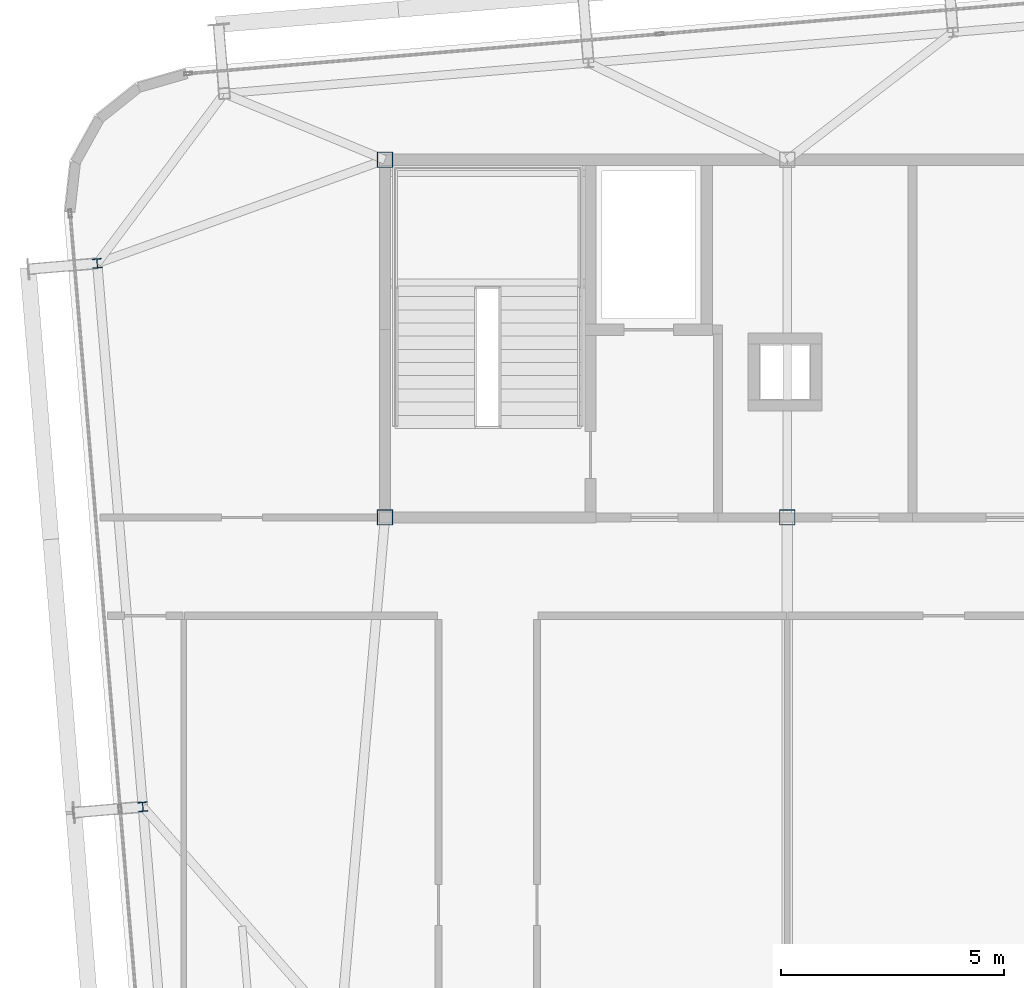
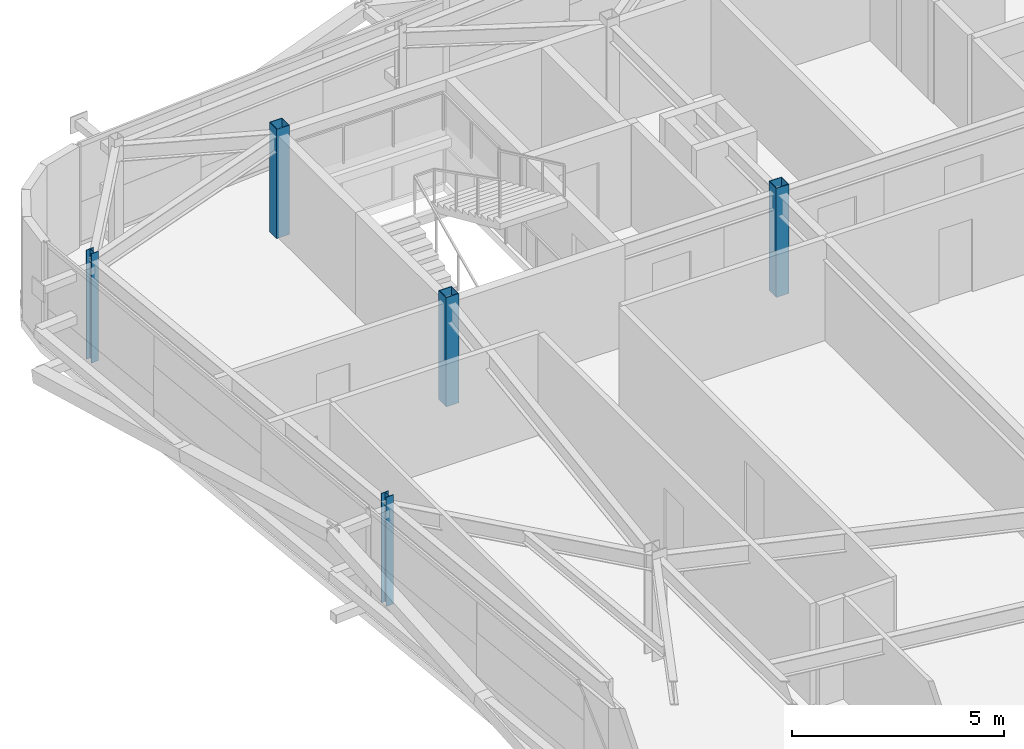
# One storey, part 2 of 37: 5 columns.
"""IFC4 building model written with IfcOpenShell, lengths in metres."""

from ifc_helpers import new_model, si_unit, direction, frame, origin, origin_2d, place, context, subcontext, project, spatial, hollow_rectangle, i_section, extrude, source, transform, mapped, material, material_profile, profile_set, type_object, element, save


model = new_model("IFC4")

# Units and contexts
model_context = context("Model", 3, precision=1e-05, world=origin(), true_north=direction((0.0, 1.0)))
body_context = subcontext(model_context, "Body", "Model", "MODEL_VIEW")
ifc_project = project(units=[si_unit("LENGTHUNIT", "METRE"), si_unit("AREAUNIT", "SQUARE_METRE"), si_unit("VOLUMEUNIT", "CUBIC_METRE"), si_unit("PLANEANGLEUNIT", "RADIAN"), si_unit("MASSUNIT", "GRAM", prefix="KILO")], contexts=[model_context])

# Site, building, storey
site_placement = place(None, origin())
site = spatial("IfcSite", under=ifc_project, at=site_placement, CompositionType="ELEMENT")
building_placement = place(site_placement, origin())
building = spatial("IfcBuilding", under=site, at=building_placement, Name="Taldren Reach Tower", CompositionType="ELEMENT")
storey_placement = place(building_placement, frame((0.0, 0.0, 172.550048828125)))
storey = spatial("IfcBuildingStorey", under=building, at=storey_placement, Name="L52", CompositionType="ELEMENT", Elevation=172.550048828125)

# Columns
ifc_material_1 = material(Name="Steel Gr 450 (C450L0)", Category="steel")
ifc_material_profile_1 = material_profile(ifc_material_1, hollow_rectangle(XDim=0.35009765625, YDim=0.35009765625, WallThickness=0.01611328125, at=origin_2d()), Name="350x350x16.0SHS")
ifc_profile_set_1 = profile_set([ifc_material_profile_1], Name="Steel Gr 450 (C450L0)")
column_type_1 = type_object("IfcColumnType", Name="COL-SHS350", PredefinedType="COLUMN", material=ifc_profile_set_1)
shared_shape_1 = source(origin(), body_context, "Body", "SweptSolid", [
    extrude(hollow_rectangle(XDim=0.35009765625, YDim=0.35009765625, WallThickness=0.01611328125, at=origin_2d()), origin(), (0.0, 0.0, 1.0), 3.14990234375),
])
for number, where, z_axis, x_axis, name in (
    (1, (19.0, 24.0, 0.0), (0.0, 0.0, 1.0), (1.0, 0.0, 0.0), "Mega column MC-C1 L52"),
    (2, (28.0, 24.0, 0.0), (0.0, 0.0, 1.0), (1.0, 0.0, 0.0), "Mega column MC-C2 L52"),
    (3, (19.0, 32.0, 0.0), (0.0, 0.0, 1.0), (1.0, 0.0, 0.0), "Mega column MC-C5 L52"),
):
    element("IfcColumn", number, at=place(storey_placement, frame(where, z_axis=z_axis, x_axis=x_axis)), inside=storey, type_object=column_type_1, Name=name, PredefinedType="COLUMN", context=body_context, shape_type="MappedRepresentation", body=[
        mapped(shared_shape_1, transform((0.0, 0.0, 0.0), scale=1.0)),
    ])
ifc_material_2 = material(Name="Steel Gr 350 (350PLUS)", Category="steel")
ifc_material_profile_2 = material_profile(ifc_material_2, i_section(OverallWidth=0.205078125, OverallDepth=0.2099609375, WebThickness=0.00927734375, FlangeThickness=0.01416015625, at=origin_2d()), Name="200UC59.5")
ifc_profile_set_2 = profile_set([ifc_material_profile_2], Name="Steel Gr 350 (350PLUS)")
column_type_2 = type_object("IfcColumnType", Name="COL-UC200", PredefinedType="COLUMN", material=ifc_profile_set_2)
shared_shape_2 = source(origin(), body_context, "Body", "SweptSolid", [
    extrude(i_section(OverallWidth=0.205078125, OverallDepth=0.2099609375, WebThickness=0.00927734375, FlangeThickness=0.01416015625, at=origin_2d()), origin(), (0.0, 0.0, 1.0), 3.14990234375),
])
for number, where, z_axis, x_axis, name in (
    (4, (13.582763671875, 17.525146484375, 0.0), (0.0, 0.0, 1.0), (0.99649285925, 0.083677843332, 0.0), "Block B4 perimeter column W2 L52"),
    (5, (12.56201171875, 29.682373046875, 0.0), (0.0, 0.0, 1.0), (0.99649285925, 0.083677843332, 0.0), "Block B4 perimeter column W3 L52"),
):
    element("IfcColumn", number, at=place(storey_placement, frame(where, z_axis=z_axis, x_axis=x_axis)), inside=storey, type_object=column_type_2, Name=name, PredefinedType="COLUMN", context=body_context, shape_type="MappedRepresentation", body=[
        mapped(shared_shape_2, transform((0.0, 0.0, 0.0), scale=1.0)),
    ])

save(model, "model.ifc")
